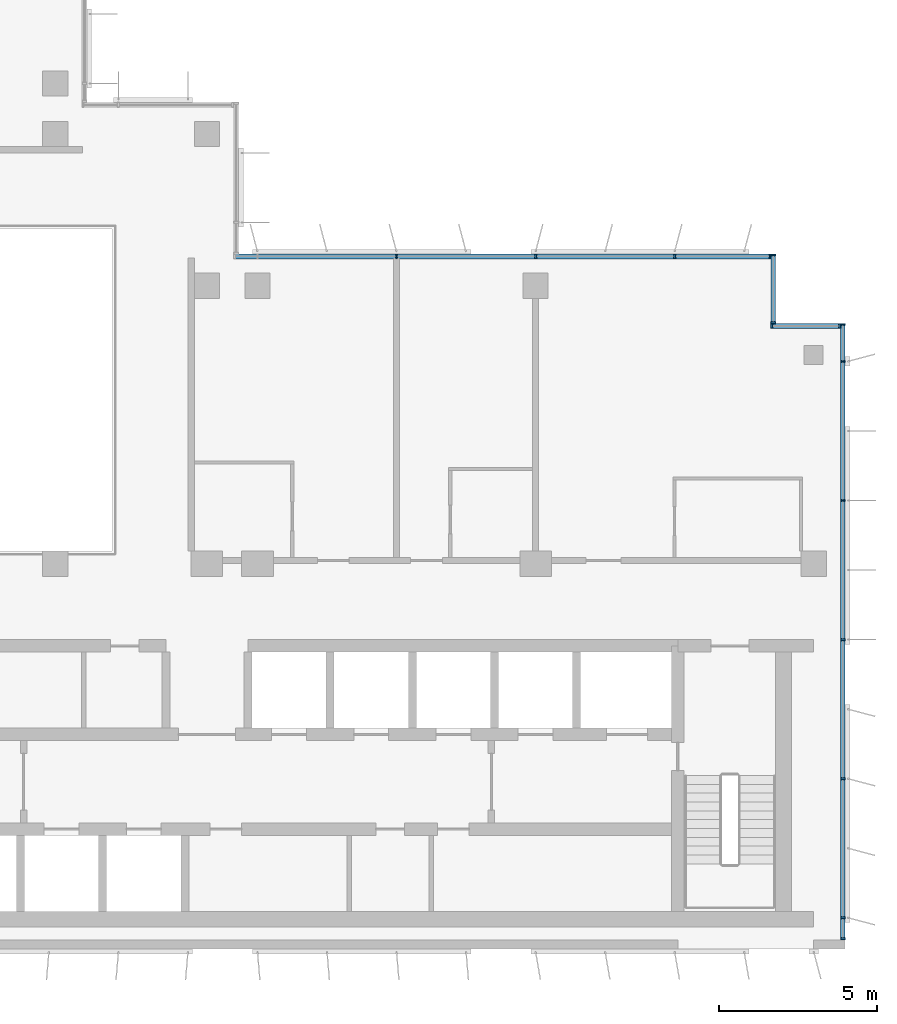
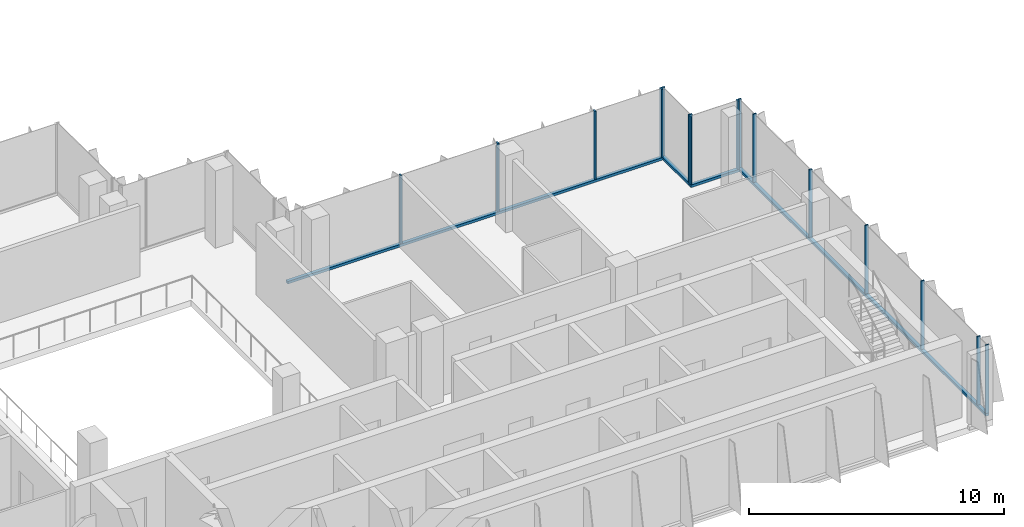
# One storey, part 3 of 14: 19 members, 4 elements without a shape of their own.
"""IFC4 building model written with IfcOpenShell, lengths in metres."""

from ifc_helpers import new_model, si_unit, direction, frame, origin, origin_2d, place, context, subcontext, project, spatial, rectangle, extrude, source, transform, mapped, material, material_profile, profile_set, type_object, element, aggregate, save


model = new_model("IFC4")

# Units and contexts
model_context = context("Model", 3, precision=1e-05, world=origin(), true_north=direction((0.0, 1.0)))
body_context = subcontext(model_context, "Body", "Model", "MODEL_VIEW")
ifc_project = project(units=[si_unit("LENGTHUNIT", "METRE"), si_unit("AREAUNIT", "SQUARE_METRE"), si_unit("VOLUMEUNIT", "CUBIC_METRE"), si_unit("PLANEANGLEUNIT", "RADIAN"), si_unit("MASSUNIT", "GRAM", prefix="KILO")], contexts=[model_context])

# Site, building, storey
site_placement = place(None, origin())
site = spatial("IfcSite", under=ifc_project, at=site_placement, CompositionType="ELEMENT")
building_placement = place(site_placement, origin())
building = spatial("IfcBuilding", under=site, at=building_placement, Name="Kemantara Hotel Tower", CompositionType="ELEMENT")
storey_placement = place(building_placement, frame((0.0, 0.0, 245.0)))
storey = spatial("IfcBuildingStorey", under=building, at=storey_placement, Name="L61", CompositionType="ELEMENT", Elevation=245.0)

# Curtain wall, member
ifc_material_1 = material(Name="Low-E tinted double insulated glass 36 mm", Category="glass")
curtain_wall_type = type_object("IfcCurtainWallType", Name="TOWER CURTAIN WALL, FRONT FACES", PredefinedType="USERDEFINED", material=ifc_material_1)
curtain_wall_1_placement = place(storey_placement, origin())
curtain_wall_1 = element("IfcCurtainWall", 1, at=curtain_wall_1_placement, inside=storey, type_object=curtain_wall_type, Name="CW4 L61 T4P-R06-1", ObjectType="TOWER CURTAIN WALL, FRONT FACES", PredefinedType="USERDEFINED")
ifc_material_2 = material(Name="Aluminium 6063-T6 bronze anodised", Category="aluminium")
ifc_material_profile_1 = material_profile(ifc_material_2, rectangle(XDim=0.14990234375, YDim=0.1201171875, at=origin_2d()), Name="TOWER CURTAIN WALL, FRONT FACES TRANSOM")
ifc_profile_set_1 = profile_set([ifc_material_profile_1], Name="Aluminium 6063-T6 bronze anodised")
member_type_1 = type_object("IfcMemberType", Name="TOWER CURTAIN WALL, FRONT FACES TRANSOM", PredefinedType="USERDEFINED", material=ifc_profile_set_1)
member_1_placement = place(storey_placement, frame((45.925048828125, 0.300048828125, 0.06005859375), z_axis=(0.0, 1.0, 0.0), x_axis=(-1.0, 0.0, 0.0)))
member_1 = element("IfcMember", 2, at=member_1_placement, type_object=member_type_1, Name="CW4 sill transom T4P-R06-1", ObjectType="TRANSOM", PredefinedType="USERDEFINED", context=body_context, shape_type="SweptSolid", body=[
    extrude(rectangle(XDim=0.14990234375, YDim=0.1201171875, at=origin_2d()), origin(), (0.0, 0.0, 1.0), 19.5),
])

curtain_wall_2_placement = place(storey_placement, origin())
curtain_wall_2 = element("IfcCurtainWall", 3, at=curtain_wall_2_placement, inside=storey, type_object=curtain_wall_type, Name="CW4 L61 T4P-R09-1", ObjectType="TOWER CURTAIN WALL, FRONT FACES", PredefinedType="USERDEFINED")
member_2_placement = place(storey_placement, frame((43.64990234375, 21.925048828125, 0.06005859375), z_axis=(-1.0, 0.0, 0.0), x_axis=(0.0, -1.0, 0.0)))
member_2 = element("IfcMember", 4, at=member_2_placement, type_object=member_type_1, Name="CW4 sill transom T4P-R09-1", ObjectType="TRANSOM", PredefinedType="USERDEFINED", context=body_context, shape_type="SweptSolid", body=[
    extrude(rectangle(XDim=0.14990234375, YDim=0.1201171875, at=origin_2d()), origin(), (0.0, 0.0, 1.0), 17.0),
])

curtain_wall_3_placement = place(storey_placement, origin())
curtain_wall_3 = element("IfcCurtainWall", 5, at=curtain_wall_3_placement, inside=storey, type_object=curtain_wall_type, Name="CW4 L61 T4P-R07-1", ObjectType="TOWER CURTAIN WALL, FRONT FACES", PredefinedType="USERDEFINED")
member_3_placement = place(storey_placement, frame((45.85009765625, 19.72509765625, 0.06005859375), z_axis=(-1.0, 0.0, 0.0), x_axis=(0.0, -1.0, 0.0)))
member_3 = element("IfcMember", 6, at=member_3_placement, type_object=member_type_1, Name="CW4 sill transom T4P-R07-1", ObjectType="TRANSOM", PredefinedType="USERDEFINED", context=body_context, shape_type="SweptSolid", body=[
    extrude(rectangle(XDim=0.14990234375, YDim=0.1201171875, at=origin_2d()), origin(), (0.0, 0.0, 1.0), 2.2001953125),
])

curtain_wall_4_placement = place(storey_placement, origin())
curtain_wall_4 = element("IfcCurtainWall", 7, at=curtain_wall_4_placement, inside=storey, type_object=curtain_wall_type, Name="CW4 L61 T4P-R08-1", ObjectType="TOWER CURTAIN WALL, FRONT FACES", PredefinedType="USERDEFINED")
member_4_placement = place(storey_placement, frame((43.72509765625, 19.800048828125, 0.06005859375), z_axis=(0.0, 1.0, 0.0), x_axis=(-1.0, 0.0, 0.0)))
member_4 = element("IfcMember", 8, at=member_4_placement, type_object=member_type_1, Name="CW4 sill transom T4P-R08-1", ObjectType="TRANSOM", PredefinedType="USERDEFINED", context=body_context, shape_type="SweptSolid", body=[
    extrude(rectangle(XDim=0.14990234375, YDim=0.1201171875, at=origin_2d()), origin(), (0.0, 0.0, 1.0), 2.199951171875),
])

# Member
ifc_material_profile_2 = material_profile(ifc_material_2, rectangle(XDim=0.14990234375, YDim=0.06005859375, at=origin_2d()), Name="TOWER CURTAIN WALL, FRONT FACES MULLION")
ifc_profile_set_2 = profile_set([ifc_material_profile_2], Name="Aluminium 6063-T6 bronze anodised")
member_type_2 = type_object("IfcMemberType", Name="TOWER CURTAIN WALL, FRONT FACES MULLION", PredefinedType="MULLION", material=ifc_profile_set_2)
shared_shape = source(origin(), body_context, "Body", "SweptSolid", [
    extrude(rectangle(XDim=0.14990234375, YDim=0.06005859375, at=origin_2d()), origin(), (0.0, 0.0, 1.0), 3.27978515625),
])
member_5_placement = place(storey_placement, frame((45.925048828125, 0.330078125, 0.1201171875), z_axis=(0.0, 0.0, 1.0), x_axis=(-1.0, 0.0, 0.0)))
member_5 = element("IfcMember", 9, at=member_5_placement, type_object=member_type_2, Name="CW4 mullion T4P-R06-1.1", PredefinedType="MULLION", context=body_context, shape_type="MappedRepresentation", body=[
    mapped(shared_shape, transform((0.0, 0.0, 0.0))),
])

member_6_placement = place(storey_placement, frame((45.925048828125, 1.0, 0.1201171875), z_axis=(0.0, 0.0, 1.0), x_axis=(-1.0, 0.0, 0.0)))
member_6 = element("IfcMember", 10, at=member_6_placement, type_object=member_type_2, Name="CW4 mullion T4P-R06-1.2", PredefinedType="MULLION", context=body_context, shape_type="MappedRepresentation", body=[
    mapped(shared_shape, transform((0.0, 0.0, 0.0))),
])

member_7_placement = place(storey_placement, frame((45.925048828125, 5.39990234375, 0.1201171875), z_axis=(0.0, 0.0, 1.0), x_axis=(-1.0, 0.0, 0.0)))
member_7 = element("IfcMember", 11, at=member_7_placement, type_object=member_type_2, Name="CW4 mullion T4P-R06-1.3", PredefinedType="MULLION", context=body_context, shape_type="MappedRepresentation", body=[
    mapped(shared_shape, transform((0.0, 0.0, 0.0))),
])

member_8_placement = place(storey_placement, frame((45.925048828125, 9.800048828125, 0.1201171875), z_axis=(0.0, 0.0, 1.0), x_axis=(-1.0, 0.0, 0.0)))
member_8 = element("IfcMember", 12, at=member_8_placement, type_object=member_type_2, Name="CW4 mullion T4P-R06-1.4", PredefinedType="MULLION", context=body_context, shape_type="MappedRepresentation", body=[
    mapped(shared_shape, transform((0.0, 0.0, 0.0))),
])

member_9_placement = place(storey_placement, frame((45.925048828125, 14.199951171875, 0.1201171875), z_axis=(0.0, 0.0, 1.0), x_axis=(-1.0, 0.0, 0.0)))
member_9 = element("IfcMember", 13, at=member_9_placement, type_object=member_type_2, Name="CW4 mullion T4P-R06-1.5", PredefinedType="MULLION", context=body_context, shape_type="MappedRepresentation", body=[
    mapped(shared_shape, transform((0.0, 0.0, 0.0))),
])

member_10_placement = place(storey_placement, frame((45.925048828125, 18.60009765625, 0.1201171875), z_axis=(0.0, 0.0, 1.0), x_axis=(-1.0, 0.0, 0.0)))
member_10 = element("IfcMember", 14, at=member_10_placement, type_object=member_type_2, Name="CW4 mullion T4P-R06-1.6", PredefinedType="MULLION", context=body_context, shape_type="MappedRepresentation", body=[
    mapped(shared_shape, transform((0.0, 0.0, 0.0))),
])

member_11_placement = place(storey_placement, frame((45.925048828125, 19.77001953125, 0.1201171875), z_axis=(0.0, 0.0, 1.0), x_axis=(-1.0, 0.0, 0.0)))
member_11 = element("IfcMember", 15, at=member_11_placement, type_object=member_type_2, Name="CW4 mullion T4P-R06-1.7", PredefinedType="MULLION", context=body_context, shape_type="MappedRepresentation", body=[
    mapped(shared_shape, transform((0.0, 0.0, 0.0))),
])

aggregate(curtain_wall_1, [member_1, member_5, member_6, member_7, member_8, member_9, member_10, member_11])

member_12_placement = place(storey_placement, frame((43.6201171875, 21.925048828125, 0.1201171875), z_axis=(0.0, 0.0, 1.0), x_axis=(0.0, -1.0, 0.0)))
member_12 = element("IfcMember", 16, at=member_12_placement, type_object=member_type_2, Name="CW4 mullion T4P-R09-1.1", PredefinedType="MULLION", context=body_context, shape_type="MappedRepresentation", body=[
    mapped(shared_shape, transform((0.0, 0.0, 0.0))),
])

member_13_placement = place(storey_placement, frame((40.60009765625, 21.925048828125, 0.1201171875), z_axis=(0.0, 0.0, 1.0), x_axis=(0.0, -1.0, 0.0)))
member_13 = element("IfcMember", 17, at=member_13_placement, type_object=member_type_2, Name="CW4 mullion T4P-R09-1.2", PredefinedType="MULLION", context=body_context, shape_type="MappedRepresentation", body=[
    mapped(shared_shape, transform((0.0, 0.0, 0.0))),
])

member_14_placement = place(storey_placement, frame((36.199951171875, 21.925048828125, 0.1201171875), z_axis=(0.0, 0.0, 1.0), x_axis=(0.0, -1.0, 0.0)))
member_14 = element("IfcMember", 18, at=member_14_placement, type_object=member_type_2, Name="CW4 mullion T4P-R09-1.3", PredefinedType="MULLION", context=body_context, shape_type="MappedRepresentation", body=[
    mapped(shared_shape, transform((0.0, 0.0, 0.0))),
])

member_15_placement = place(storey_placement, frame((31.800048828125, 21.925048828125, 0.1201171875), z_axis=(0.0, 0.0, 1.0), x_axis=(0.0, -1.0, 0.0)))
member_15 = element("IfcMember", 19, at=member_15_placement, type_object=member_type_2, Name="CW4 mullion T4P-R09-1.4", PredefinedType="MULLION", context=body_context, shape_type="MappedRepresentation", body=[
    mapped(shared_shape, transform((0.0, 0.0, 0.0))),
])

aggregate(curtain_wall_2, [member_2, member_12, member_13, member_14, member_15])

member_16_placement = place(storey_placement, frame((45.820068359375, 19.72509765625, 0.1201171875), z_axis=(0.0, 0.0, 1.0), x_axis=(0.0, -1.0, 0.0)))
member_16 = element("IfcMember", 20, at=member_16_placement, type_object=member_type_2, Name="CW4 mullion T4P-R07-1.1", PredefinedType="MULLION", context=body_context, shape_type="MappedRepresentation", body=[
    mapped(shared_shape, transform((0.0, 0.0, 0.0))),
])

member_17_placement = place(storey_placement, frame((43.679931640625, 19.72509765625, 0.1201171875), z_axis=(0.0, 0.0, 1.0), x_axis=(0.0, -1.0, 0.0)))
member_17 = element("IfcMember", 21, at=member_17_placement, type_object=member_type_2, Name="CW4 mullion T4P-R07-1.2", PredefinedType="MULLION", context=body_context, shape_type="MappedRepresentation", body=[
    mapped(shared_shape, transform((0.0, 0.0, 0.0))),
])

aggregate(curtain_wall_3, [member_3, member_16, member_17])

member_18_placement = place(storey_placement, frame((43.72509765625, 19.830078125, 0.1201171875), z_axis=(0.0, 0.0, 1.0), x_axis=(-1.0, 0.0, 0.0)))
member_18 = element("IfcMember", 22, at=member_18_placement, type_object=member_type_2, Name="CW4 mullion T4P-R08-1.1", PredefinedType="MULLION", context=body_context, shape_type="MappedRepresentation", body=[
    mapped(shared_shape, transform((0.0, 0.0, 0.0))),
])

member_19_placement = place(storey_placement, frame((43.72509765625, 21.969970703125, 0.1201171875), z_axis=(0.0, 0.0, 1.0), x_axis=(-1.0, 0.0, 0.0)))
member_19 = element("IfcMember", 23, at=member_19_placement, type_object=member_type_2, Name="CW4 mullion T4P-R08-1.2", PredefinedType="MULLION", context=body_context, shape_type="MappedRepresentation", body=[
    mapped(shared_shape, transform((0.0, 0.0, 0.0))),
])

aggregate(curtain_wall_4, [member_4, member_18, member_19])

save(model, "model.ifc")
